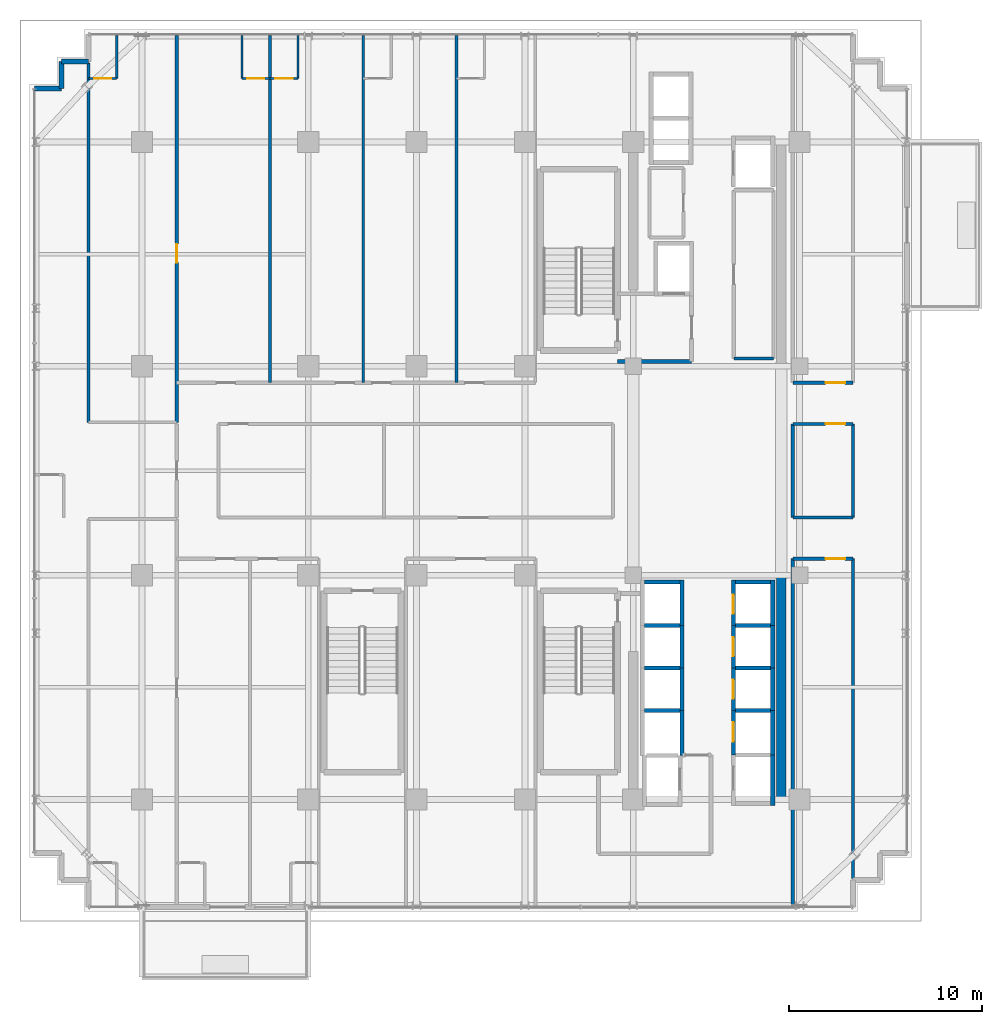
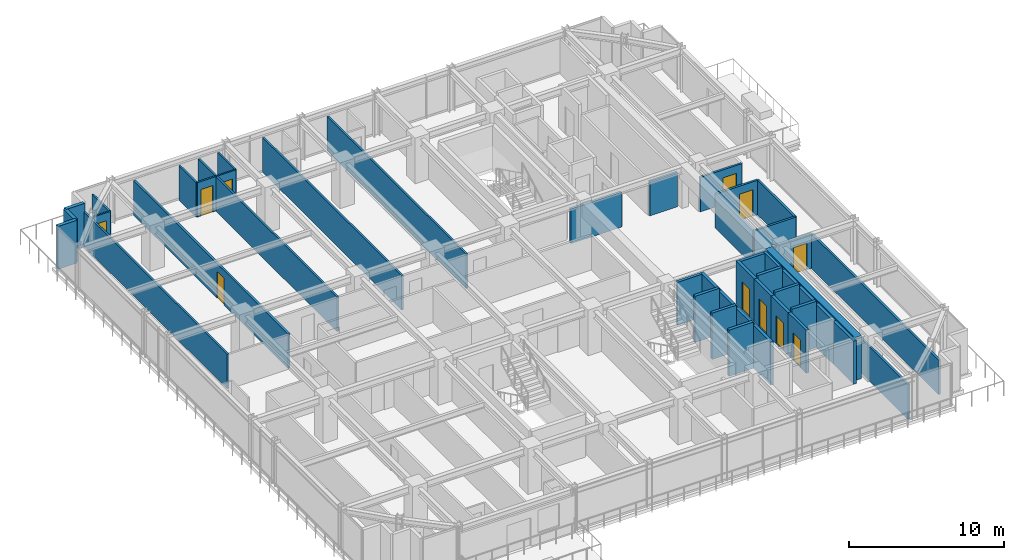
# One storey, part 27 of 33: 46 walls, 11 doors, 11 openings.
"""IFC4 building model written with IfcOpenShell, lengths in metres."""

from ifc_helpers import new_model, si_unit, direction, frame, frame_2d, origin, place, context, subcontext, project, spatial, rectangle, extrude, source, transform, mapped, material, layer, layer_set, type_object, element, fill, save


model = new_model("IFC4")

# Units and contexts
model_context = context("Model", 3, precision=1e-05, world=origin(), true_north=direction((0.0, 1.0)))
body_context = subcontext(model_context, "Body", "Model", "MODEL_VIEW")
ifc_project = project(units=[si_unit("LENGTHUNIT", "METRE"), si_unit("AREAUNIT", "SQUARE_METRE"), si_unit("VOLUMEUNIT", "CUBIC_METRE"), si_unit("PLANEANGLEUNIT", "RADIAN"), si_unit("MASSUNIT", "GRAM", prefix="KILO")], contexts=[model_context])

# Site, building, storey
site_placement = place(None, origin())
site = spatial("IfcSite", under=ifc_project, at=site_placement, CompositionType="ELEMENT")
building_placement = place(site_placement, origin())
building = spatial("IfcBuilding", under=site, at=building_placement, Name="Nahalor Promenade Grand Hotel", CompositionType="ELEMENT")
storey_placement = place(building_placement, frame((0.0, 0.0, 149.0)))
storey = spatial("IfcBuildingStorey", under=building, at=storey_placement, Name="L37", CompositionType="ELEMENT", Elevation=149.0)

# Walls
ifc_material_1 = material(Name="Concrete B-60 (C50/60)", Category="concrete")
ifc_layer_1 = layer(ifc_material_1, 0.5)
ifc_layer_set_1 = layer_set([ifc_layer_1], Name="Concrete B-60 (C50/60)")
wall_type_1 = type_object("IfcWallType", Name="Wall-CoreShear-500", PredefinedType="SHEAR", material=ifc_layer_set_1)
shared_shape_1 = source(origin(), body_context, "Body", "SweptSolid", [
    extrude(rectangle(XDim=11.60009765625, YDim=0.5, at=frame_2d((5.800048828125, 0.0))), origin(), (0.0, 0.0, 1.0), 3.389892578125),
])
wall_1_placement = place(storey_placement, frame((16.050048828125, -17.0, 0.0), z_axis=(0.0, 0.0, 1.0), x_axis=(0.0, 1.0, 0.0)))
element("IfcWall", 1, at=wall_1_placement, inside=storey, type_object=wall_type_1, Name="CWALL-L37-SE", PredefinedType="SHEAR", context=body_context, shape_type="MappedRepresentation", body=[
    mapped(shared_shape_1, transform((0.0, 0.0, 0.0), scale=1.0)),
])
ifc_material_2 = material(Name="Concrete B-50 (C40/50)", Category="concrete")
ifc_layer_2 = layer(ifc_material_2, 0.219970703125)
ifc_layer_set_2 = layer_set([ifc_layer_2], Name="Concrete B-50 (C40/50)")
wall_type_2 = type_object("IfcWallType", Name="Wall-LiftShaft-220", PredefinedType="SHEAR", material=ifc_layer_set_2)
shared_shape_2 = source(origin(), body_context, "Body", "SweptSolid", [
    extrude(rectangle(XDim=1.820068359375, YDim=0.219970703125, at=frame_2d((0.91015625, 0.0))), origin(), (0.0, 0.0, 1.0), 3.64990234375),
])
for number, where, z_axis, x_axis, name in (
    (2, (13.68994140625, -8.0, 0.0), (0.0, 0.0, 1.0), (1.0, 0.0, 0.0), "L37 Lift PL6 Hoistway Wall N"),
    (3, (13.68994140625, -10.199951171875, 0.0), (0.0, 0.0, 1.0), (1.0, 0.0, 0.0), "L37 Lift PL7 Hoistway Wall N"),
    (4, (13.68994140625, -12.39990234375, 0.0), (0.0, 0.0, 1.0), (1.0, 0.0, 0.0), "L37 Lift PL8 Hoistway Wall N"),
    (5, (8.989990234375, -8.0, 0.0), (0.0, 0.0, 1.0), (1.0, 0.0, 0.0), "L37 Lift PL10 Hoistway Wall N"),
    (6, (8.989990234375, -10.199951171875, 0.0), (0.0, 0.0, 1.0), (1.0, 0.0, 0.0), "L37 Lift PL11 Hoistway Wall N"),
    (7, (8.989990234375, -12.39990234375, 0.0), (0.0, 0.0, 1.0), (1.0, 0.0, 0.0), "L37 Lift PL12 Hoistway Wall N"),
):
    element("IfcWall", number, at=place(storey_placement, frame(where, z_axis=z_axis, x_axis=x_axis)), inside=storey, type_object=wall_type_2, Name=name, PredefinedType="SHEAR", context=body_context, shape_type="MappedRepresentation", body=[
        mapped(shared_shape_2, transform((0.0, 0.0, 0.0), scale=1.0)),
    ])

# Wall, opening, door
shared_shape_3 = source(origin(), body_context, "Body", "SweptSolid", [
    extrude(rectangle(XDim=2.360107421875, YDim=0.219970703125, at=frame_2d((1.18017578125, 0.0))), origin(), (0.0, 0.0, 1.0), 3.389892578125),
])
wall_2_placement = place(storey_placement, frame((13.580078125, -8.0, 0.0), z_axis=(0.0, 0.0, 1.0), x_axis=(0.0, 1.0, 0.0)))
wall_2 = element("IfcWall", 8, at=wall_2_placement, inside=storey, type_object=wall_type_2, Name="L37 Lift PL5 Hoistway Wall W", PredefinedType="SHEAR", context=body_context, shape_type="MappedRepresentation", body=[
    mapped(shared_shape_3, transform((0.0, 0.0, 0.0), scale=1.0)),
])
opening_1_placement = place(wall_2_placement, frame((0.60009765625, 0.0, 0.0)))
opening_1 = element("IfcOpeningElement", 9, at=opening_1_placement, cuts=wall_2, Name="Opening LD-01", PredefinedType="OPENING", context=body_context, shape_type="SweptSolid", body=[
    extrude(rectangle(XDim=1.0, YDim=2.199951171875, at=frame_2d((0.5, 1.10009765625))), frame((0.0, 0.119873046875, 0.0), z_axis=(0.0, -1.0, 0.0), x_axis=(1.0, 0.0, 0.0)), (0.0, 0.0, 1.0), 0.239990234375),
])
ifc_material_3 = material(Name="Steel S355JR", Category="steel")
door_type_1 = type_object("IfcDoorType", Name="Door-LiftLanding-1000", OperationType="DOUBLE_DOOR_SLIDING", PredefinedType="DOOR", material=ifc_material_3)
shared_shape_4 = source(origin(), body_context, "Body", "SweptSolid", [
    extrude(rectangle(XDim=1.0, YDim=2.199951171875, at=frame_2d((0.5, 1.10009765625))), frame((0.0, 0.02490234375, 0.0), z_axis=(0.0, -1.0, 0.0), x_axis=(1.0, 0.0, 0.0)), (0.0, 0.0, 1.0), 0.050048828125),
])
door_1_placement = place(opening_1_placement, origin())
door_1 = element("IfcDoor", 10, at=door_1_placement, inside=storey, type_object=door_type_1, Name="DR-LIFT-PL5-L37", OperationType="DOUBLE_DOOR_SLIDING", OverallHeight=2.199951171875, OverallWidth=1.0, PredefinedType="DOOR", context=body_context, shape_type="MappedRepresentation", body=[
    mapped(shared_shape_4, transform((0.0, 0.0, 0.0), scale=1.0)),
])
fill(opening_1, door_1)

# Walls
for number, where, z_axis, x_axis, name in (
    (11, (15.6201171875, -8.0, 0.0), (0.0, 0.0, 1.0), (0.0, 1.0, 0.0), "L37 Lift PL5 Hoistway Wall E"),
    (12, (10.919921875, -8.0, 0.0), (0.0, 0.0, 1.0), (0.0, 1.0, 0.0), "L37 Lift PL9 Hoistway Wall E"),
):
    element("IfcWall", number, at=place(storey_placement, frame(where, z_axis=z_axis, x_axis=x_axis)), inside=storey, type_object=wall_type_2, Name=name, PredefinedType="SHEAR", context=body_context, shape_type="MappedRepresentation", body=[
        mapped(shared_shape_3, transform((0.0, 0.0, 0.0), scale=1.0)),
    ])
shared_shape_5 = source(origin(), body_context, "Body", "SweptSolid", [
    extrude(rectangle(XDim=1.820068359375, YDim=0.219970703125, at=frame_2d((0.91015625, 0.0))), origin(), (0.0, 0.0, 1.0), 3.389892578125),
])
for number, where, z_axis, x_axis, name in (
    (13, (13.68994140625, -5.75, 0.0), (0.0, 0.0, 1.0), (1.0, 0.0, 0.0), "L37 Lift PL5 Hoistway Wall N"),
    (14, (8.989990234375, -5.75, 0.0), (0.0, 0.0, 1.0), (1.0, 0.0, 0.0), "L37 Lift PL9 Hoistway Wall N"),
):
    element("IfcWall", number, at=place(storey_placement, frame(where, z_axis=z_axis, x_axis=x_axis)), inside=storey, type_object=wall_type_2, Name=name, PredefinedType="SHEAR", context=body_context, shape_type="MappedRepresentation", body=[
        mapped(shared_shape_5, transform((0.0, 0.0, 0.0), scale=1.0)),
    ])

# Wall, opening, door
shared_shape_6 = source(origin(), body_context, "Body", "SweptSolid", [
    extrude(rectangle(XDim=2.199951171875, YDim=0.219970703125, at=frame_2d((1.10009765625, 0.0))), origin(), (0.0, 0.0, 1.0), 3.389892578125),
])
wall_3_placement = place(storey_placement, frame((13.580078125, -10.199951171875, 0.0), z_axis=(0.0, 0.0, 1.0), x_axis=(0.0, 1.0, 0.0)))
wall_3 = element("IfcWall", 15, at=wall_3_placement, inside=storey, type_object=wall_type_2, Name="L37 Lift PL6 Hoistway Wall W", PredefinedType="SHEAR", context=body_context, shape_type="MappedRepresentation", body=[
    mapped(shared_shape_6, transform((0.0, 0.0, 0.0), scale=1.0)),
])
opening_2_placement = place(wall_3_placement, frame((0.60009765625, 0.0, 0.0)))
opening_2 = element("IfcOpeningElement", 16, at=opening_2_placement, cuts=wall_3, Name="Opening LD-01", PredefinedType="OPENING", context=body_context, shape_type="SweptSolid", body=[
    extrude(rectangle(XDim=1.0, YDim=2.199951171875, at=frame_2d((0.5, 1.10009765625))), frame((0.0, 0.119873046875, 0.0), z_axis=(0.0, -1.0, 0.0), x_axis=(1.0, 0.0, 0.0)), (0.0, 0.0, 1.0), 0.239990234375),
])
door_2_placement = place(opening_2_placement, origin())
door_2 = element("IfcDoor", 17, at=door_2_placement, inside=storey, type_object=door_type_1, Name="DR-LIFT-PL6-L37", OperationType="DOUBLE_DOOR_SLIDING", OverallHeight=2.199951171875, OverallWidth=1.0, PredefinedType="DOOR", context=body_context, shape_type="MappedRepresentation", body=[
    mapped(shared_shape_4, transform((0.0, 0.0, 0.0), scale=1.0)),
])
fill(opening_2, door_2)

# Wall
wall_4_placement = place(storey_placement, frame((15.6201171875, -10.199951171875, 0.0), z_axis=(0.0, 0.0, 1.0), x_axis=(0.0, 1.0, 0.0)))
element("IfcWall", 18, at=wall_4_placement, inside=storey, type_object=wall_type_2, Name="L37 Lift PL6 Hoistway Wall E", PredefinedType="SHEAR", context=body_context, shape_type="MappedRepresentation", body=[
    mapped(shared_shape_6, transform((0.0, 0.0, 0.0), scale=1.0)),
])

# Wall, opening, door
wall_5_placement = place(storey_placement, frame((13.580078125, -12.39990234375, 0.0), z_axis=(0.0, 0.0, 1.0), x_axis=(0.0, 1.0, 0.0)))
wall_5 = element("IfcWall", 19, at=wall_5_placement, inside=storey, type_object=wall_type_2, Name="L37 Lift PL7 Hoistway Wall W", PredefinedType="SHEAR", context=body_context, shape_type="MappedRepresentation", body=[
    mapped(shared_shape_6, transform((0.0, 0.0, 0.0), scale=1.0)),
])
opening_3_placement = place(wall_5_placement, frame((0.60009765625, 0.0, 0.0)))
opening_3 = element("IfcOpeningElement", 20, at=opening_3_placement, cuts=wall_5, Name="Opening LD-01", PredefinedType="OPENING", context=body_context, shape_type="SweptSolid", body=[
    extrude(rectangle(XDim=1.0, YDim=2.199951171875, at=frame_2d((0.5, 1.10009765625))), frame((0.0, 0.119873046875, 0.0), z_axis=(0.0, -1.0, 0.0), x_axis=(1.0, 0.0, 0.0)), (0.0, 0.0, 1.0), 0.239990234375),
])
door_3_placement = place(opening_3_placement, origin())
door_3 = element("IfcDoor", 21, at=door_3_placement, inside=storey, type_object=door_type_1, Name="DR-LIFT-PL7-L37", OperationType="DOUBLE_DOOR_SLIDING", OverallHeight=2.199951171875, OverallWidth=1.0, PredefinedType="DOOR", context=body_context, shape_type="MappedRepresentation", body=[
    mapped(shared_shape_4, transform((0.0, 0.0, 0.0), scale=1.0)),
])
fill(opening_3, door_3)

# Walls
for number, where, z_axis, x_axis, name in (
    (22, (15.6201171875, -12.39990234375, 0.0), (0.0, 0.0, 1.0), (0.0, 1.0, 0.0), "L37 Lift PL7 Hoistway Wall E"),
    (23, (10.919921875, -10.199951171875, 0.0), (0.0, 0.0, 1.0), (0.0, 1.0, 0.0), "L37 Lift PL10 Hoistway Wall E"),
    (24, (10.919921875, -12.39990234375, 0.0), (0.0, 0.0, 1.0), (0.0, 1.0, 0.0), "L37 Lift PL11 Hoistway Wall E"),
):
    element("IfcWall", number, at=place(storey_placement, frame(where, z_axis=z_axis, x_axis=x_axis)), inside=storey, type_object=wall_type_2, Name=name, PredefinedType="SHEAR", context=body_context, shape_type="MappedRepresentation", body=[
        mapped(shared_shape_6, transform((0.0, 0.0, 0.0), scale=1.0)),
    ])

# Wall, opening, door
shared_shape_7 = source(origin(), body_context, "Body", "SweptSolid", [
    extrude(rectangle(XDim=2.300048828125, YDim=0.219970703125, at=frame_2d((1.14990234375, 0.0))), origin(), (0.0, 0.0, 1.0), 3.389892578125),
])
wall_6_placement = place(storey_placement, frame((13.580078125, -14.699951171875, 0.0), z_axis=(0.0, 0.0, 1.0), x_axis=(0.0, 1.0, 0.0)))
wall_6 = element("IfcWall", 25, at=wall_6_placement, inside=storey, type_object=wall_type_2, Name="L37 Lift PL8 Hoistway Wall W", PredefinedType="SHEAR", context=body_context, shape_type="MappedRepresentation", body=[
    mapped(shared_shape_7, transform((0.0, 0.0, 0.0), scale=1.0)),
])
opening_4_placement = place(wall_6_placement, frame((0.699951171875, 0.0, 0.0)))
opening_4 = element("IfcOpeningElement", 26, at=opening_4_placement, cuts=wall_6, Name="Opening LD-01", PredefinedType="OPENING", context=body_context, shape_type="SweptSolid", body=[
    extrude(rectangle(XDim=1.0, YDim=2.199951171875, at=frame_2d((0.5, 1.10009765625))), frame((0.0, 0.119873046875, 0.0), z_axis=(0.0, -1.0, 0.0), x_axis=(1.0, 0.0, 0.0)), (0.0, 0.0, 1.0), 0.239990234375),
])
door_4_placement = place(opening_4_placement, origin())
door_4 = element("IfcDoor", 27, at=door_4_placement, inside=storey, type_object=door_type_1, Name="DR-LIFT-PL8-L37", OperationType="DOUBLE_DOOR_SLIDING", OverallHeight=2.199951171875, OverallWidth=1.0, PredefinedType="DOOR", context=body_context, shape_type="MappedRepresentation", body=[
    mapped(shared_shape_4, transform((0.0, 0.0, 0.0), scale=1.0)),
])
fill(opening_4, door_4)

# Walls
wall_7_placement = place(storey_placement, frame((15.6201171875, -14.699951171875, 0.0), z_axis=(0.0, 0.0, 1.0), x_axis=(0.0, 1.0, 0.0)))
element("IfcWall", 28, at=wall_7_placement, inside=storey, type_object=wall_type_2, Name="L37 Lift PL8 Hoistway Wall E", PredefinedType="SHEAR", context=body_context, shape_type="MappedRepresentation", body=[
    mapped(shared_shape_7, transform((0.0, 0.0, 0.0), scale=1.0)),
])
shared_shape_8 = source(origin(), body_context, "Body", "SweptSolid", [
    extrude(rectangle(XDim=2.3251953125, YDim=0.219970703125, at=frame_2d((1.16259765625, 0.0))), origin(), (0.0, 0.0, 1.0), 3.389892578125),
])
wall_8_placement = place(storey_placement, frame((10.919921875, -14.72509765625, 0.0), z_axis=(0.0, 0.0, 1.0), x_axis=(0.0, 1.0, 0.0)))
element("IfcWall", 29, at=wall_8_placement, inside=storey, type_object=wall_type_2, Name="L37 Lift PL12 Hoistway Wall E", PredefinedType="SHEAR", context=body_context, shape_type="MappedRepresentation", body=[
    mapped(shared_shape_8, transform((0.0, 0.0, 0.0), scale=1.0)),
])
shared_shape_9 = source(origin(), body_context, "Body", "SweptSolid", [
    extrude(rectangle(XDim=2.610107421875, YDim=0.219970703125, at=frame_2d((1.30517578125, 0.0))), origin(), (0.0, 0.0, 1.0), 3.389892578125),
])
wall_9_placement = place(storey_placement, frame((15.6201171875, -17.31005859375, 0.0), z_axis=(0.0, 0.0, 1.0), x_axis=(0.0, 1.0, 0.0)))
element("IfcWall", 30, at=wall_9_placement, inside=storey, type_object=wall_type_2, Name="L37 Lift SV2 Hoistway Wall E", PredefinedType="SHEAR", context=body_context, shape_type="MappedRepresentation", body=[
    mapped(shared_shape_9, transform((0.0, 0.0, 0.0), scale=1.0)),
])
ifc_material_4 = material(Name="Concrete B-40 (C32/40)", Category="concrete")
ifc_layer_3 = layer(ifc_material_4, 0.25)
ifc_layer_set_3 = layer_set([ifc_layer_3], Name="Concrete B-40 (C32/40)")
wall_type_3 = type_object("IfcWallType", Name="Wall-BronzePier-250", PredefinedType="STANDARD", material=ifc_layer_set_3)
shared_shape_10 = source(origin(), body_context, "Body", "SweptSolid", [
    extrude(rectangle(XDim=1.400146484375, YDim=0.25, at=frame_2d((0.7001953125, 0.0))), origin(), (0.0, 0.0, 1.0), 3.389892578125),
])
wall_10_placement = place(storey_placement, frame((-22.56005859375, 19.760009765625, 0.0), z_axis=(0.0, 0.0, 1.0), x_axis=(1.0, 0.0, 0.0)))
element("IfcWall", 31, at=wall_10_placement, inside=storey, type_object=wall_type_3, Name="W-L37-SR-12", PredefinedType="STANDARD", context=body_context, shape_type="MappedRepresentation", body=[
    mapped(shared_shape_10, transform((0.0, 0.0, 0.0), scale=1.0)),
])
shared_shape_11 = source(origin(), body_context, "Body", "SweptSolid", [
    extrude(rectangle(XDim=1.39990234375, YDim=0.25, at=frame_2d((0.699951171875, 0.0))), origin(), (0.0, 0.0, 1.0), 3.389892578125),
])
for number, where, z_axis, x_axis, name in (
    (32, (-21.159912109375, 21.159912109375, 0.0), (0.0, 0.0, 1.0), (1.0, 0.0, 0.0), "W-L37-SR-10"),
    (33, (-21.159912109375, 19.760009765625, 0.0), (0.0, 0.0, 1.0), (0.0, 1.0, 0.0), "W-L37-SR-11"),
):
    element("IfcWall", number, at=place(storey_placement, frame(where, z_axis=z_axis, x_axis=x_axis)), inside=storey, type_object=wall_type_3, Name=name, PredefinedType="STANDARD", context=body_context, shape_type="MappedRepresentation", body=[
        mapped(shared_shape_11, transform((0.0, 0.0, 0.0), scale=1.0)),
    ])
ifc_layer_4 = layer(ifc_material_4, 0.199951171875)
ifc_layer_set_4 = layer_set([ifc_layer_4], Name="Concrete B-40 (C32/40)")
wall_type_4 = type_object("IfcWallType", Name="Wall-PartFire-200", PredefinedType="PARTITIONING", material=ifc_layer_set_4)
shared_shape_12 = source(origin(), body_context, "Body", "SweptSolid", [
    extrude(rectangle(XDim=3.81982421875, YDim=0.199951171875, at=frame_2d((1.909912109375, 0.0))), origin(), (0.0, 0.0, 1.0), 2.72998046875),
])
wall_11_placement = place(storey_placement, frame((7.60009765625, 5.64990234375, 0.0), z_axis=(0.0, 0.0, 1.0), x_axis=(1.0, 0.0, 0.0)))
element("IfcWall", 34, at=wall_11_placement, inside=storey, type_object=wall_type_4, Name="W-L37-FF1-S", PredefinedType="PARTITIONING", context=body_context, shape_type="MappedRepresentation", body=[
    mapped(shared_shape_12, transform((0.0, 0.0, 0.0), scale=1.0)),
])
ifc_material_5 = material(Name="Acoustic Mineral Gypsum", Category="gypsum")
ifc_layer_5 = layer(ifc_material_5, 0.159912109375)
ifc_layer_set_5 = layer_set([ifc_layer_5], Name="Acoustic Mineral Gypsum")
wall_type_5 = type_object("IfcWallType", Name="Wall-PartCorridor-160", PredefinedType="PARTITIONING", material=ifc_layer_set_5)
shared_shape_13 = source(origin(), body_context, "Body", "SweptSolid", [
    extrude(rectangle(XDim=2.0498046875, YDim=0.159912109375, at=frame_2d((1.02490234375, 0.0))), origin(), (0.0, 0.0, 1.0), 2.72998046875),
])
wall_12_placement = place(storey_placement, frame((13.60009765625, 5.800048828125, 0.0), z_axis=(0.0, 0.0, 1.0), x_axis=(1.0, 0.0, 0.0)))
element("IfcWall", 35, at=wall_12_placement, inside=storey, type_object=wall_type_5, Name="W-L37-FRB1-S", PredefinedType="PARTITIONING", context=body_context, shape_type="MappedRepresentation", body=[
    mapped(shared_shape_13, transform((0.0, 0.0, 0.0), scale=1.0)),
])

# Wall, opening, door
shared_shape_14 = source(origin(), body_context, "Body", "SweptSolid", [
    extrude(rectangle(XDim=3.110107421875, YDim=0.159912109375, at=frame_2d((1.55517578125, 0.0))), origin(), (0.0, 0.0, 1.0), 2.72998046875),
])
wall_13_placement = place(storey_placement, frame((16.64990234375, 4.550048828125, 0.0), z_axis=(0.0, 0.0, 1.0), x_axis=(1.0, 0.0, 0.0)))
wall_13 = element("IfcWall", 36, at=wall_13_placement, inside=storey, type_object=wall_type_5, Name="W-L37-ENE-S", PredefinedType="PARTITIONING", context=body_context, shape_type="MappedRepresentation", body=[
    mapped(shared_shape_14, transform((0.0, 0.0, 0.0), scale=1.0)),
])
opening_5_placement = place(wall_13_placement, frame((1.700927734375, 0.0, 0.0)))
opening_5 = element("IfcOpeningElement", 37, at=opening_5_placement, cuts=wall_13, Name="Opening D-04", PredefinedType="OPENING", context=body_context, shape_type="SweptSolid", body=[
    extrude(rectangle(XDim=1.0, YDim=2.10009765625, at=frame_2d((0.5, 1.050048828125))), frame((0.0, 0.08984375, 0.0), z_axis=(0.0, -1.0, 0.0), x_axis=(1.0, 0.0, 0.0)), (0.0, 0.0, 1.0), 0.179931640625),
])
door_type_2 = type_object("IfcDoorType", Name="Door-ServiceFire-1000", OperationType="NOTDEFINED", PredefinedType="DOOR", material=ifc_material_3)
shared_shape_15 = source(origin(), body_context, "Body", "SweptSolid", [
    extrude(rectangle(XDim=1.0, YDim=2.10009765625, at=frame_2d((0.5, 1.050048828125))), frame((0.0, 0.02490234375, 0.0), z_axis=(0.0, -1.0, 0.0), x_axis=(1.0, 0.0, 0.0)), (0.0, 0.0, 1.0), 0.050048828125),
])
door_5_placement = place(opening_5_placement, origin())
door_5 = element("IfcDoor", 38, at=door_5_placement, inside=storey, type_object=door_type_2, Name="DR-L37-ENE", OperationType="SINGLE_SWING_LEFT", OverallHeight=2.10009765625, OverallWidth=1.0, PredefinedType="DOOR", context=body_context, shape_type="MappedRepresentation", body=[
    mapped(shared_shape_15, transform((0.0, 0.0, 0.0), scale=1.0)),
])
fill(opening_5, door_5)

wall_14_placement = place(storey_placement, frame((16.64990234375, -4.550048828125, 0.0), z_axis=(0.0, 0.0, 1.0), x_axis=(1.0, 0.0, 0.0)))
wall_14 = element("IfcWall", 39, at=wall_14_placement, inside=storey, type_object=wall_type_5, Name="W-L37-ESE-N", PredefinedType="PARTITIONING", context=body_context, shape_type="MappedRepresentation", body=[
    mapped(shared_shape_14, transform((0.0, 0.0, 0.0), scale=1.0)),
])
opening_6_placement = place(wall_14_placement, frame((1.700927734375, 0.0, 0.0)))
opening_6 = element("IfcOpeningElement", 40, at=opening_6_placement, cuts=wall_14, Name="Opening D-04", PredefinedType="OPENING", context=body_context, shape_type="SweptSolid", body=[
    extrude(rectangle(XDim=1.0, YDim=2.10009765625, at=frame_2d((0.5, 1.050048828125))), frame((0.0, 0.08984375, 0.0), z_axis=(0.0, -1.0, 0.0), x_axis=(1.0, 0.0, 0.0)), (0.0, 0.0, 1.0), 0.179931640625),
])
door_6_placement = place(opening_6_placement, frame((1.0, 0.0, 0.0), z_axis=(0.0, 0.0, 1.0), x_axis=(-1.0, 0.0, 0.0)))
door_6 = element("IfcDoor", 41, at=door_6_placement, inside=storey, type_object=door_type_2, Name="DR-L37-ESE", OperationType="SINGLE_SWING_RIGHT", OverallHeight=2.10009765625, OverallWidth=1.0, PredefinedType="DOOR", context=body_context, shape_type="MappedRepresentation", body=[
    mapped(shared_shape_15, transform((0.0, 0.0, 0.0), scale=1.0)),
])
fill(opening_6, door_6)

# Wall
wall_15_placement = place(storey_placement, frame((16.64990234375, -2.419921875, 0.0), z_axis=(0.0, 0.0, 1.0), x_axis=(1.0, 0.0, 0.0)))
element("IfcWall", 42, at=wall_15_placement, inside=storey, type_object=wall_type_5, Name="W-L37-ECW-S", PredefinedType="PARTITIONING", context=body_context, shape_type="MappedRepresentation", body=[
    mapped(shared_shape_14, transform((0.0, 0.0, 0.0), scale=1.0)),
])

# Wall, opening, door
wall_16_placement = place(storey_placement, frame((16.64990234375, 2.419921875, 0.0), z_axis=(0.0, 0.0, 1.0), x_axis=(1.0, 0.0, 0.0)))
wall_16 = element("IfcWall", 43, at=wall_16_placement, inside=storey, type_object=wall_type_5, Name="W-L37-ECW-N", PredefinedType="PARTITIONING", context=body_context, shape_type="MappedRepresentation", body=[
    mapped(shared_shape_14, transform((0.0, 0.0, 0.0), scale=1.0)),
])
opening_7_placement = place(wall_16_placement, frame((1.700927734375, 0.0, 0.0)))
opening_7 = element("IfcOpeningElement", 44, at=opening_7_placement, cuts=wall_16, Name="Opening D-04", PredefinedType="OPENING", context=body_context, shape_type="SweptSolid", body=[
    extrude(rectangle(XDim=1.0, YDim=2.10009765625, at=frame_2d((0.5, 1.050048828125))), frame((0.0, 0.08984375, 0.0), z_axis=(0.0, -1.0, 0.0), x_axis=(1.0, 0.0, 0.0)), (0.0, 0.0, 1.0), 0.179931640625),
])
door_7_placement = place(opening_7_placement, frame((1.0, 0.0, 0.0), z_axis=(0.0, 0.0, 1.0), x_axis=(-1.0, 0.0, 0.0)))
door_7 = element("IfcDoor", 45, at=door_7_placement, inside=storey, type_object=door_type_2, Name="DR-L37-ECW", OperationType="SINGLE_SWING_RIGHT", OverallHeight=2.10009765625, OverallWidth=1.0, PredefinedType="DOOR", context=body_context, shape_type="MappedRepresentation", body=[
    mapped(shared_shape_15, transform((0.0, 0.0, 0.0), scale=1.0)),
])
fill(opening_7, door_7)

# Walls
shared_shape_16 = source(origin(), body_context, "Body", "SweptSolid", [
    extrude(rectangle(XDim=17.949951171875, YDim=0.159912109375, at=frame_2d((8.97509765625, 0.0))), origin(), (0.0, 0.0, 1.0), 2.72998046875),
])
wall_17_placement = place(storey_placement, frame((16.64990234375, -22.5, 0.0), z_axis=(0.0, 0.0, 1.0), x_axis=(0.0, 1.0, 0.0)))
element("IfcWall", 46, at=wall_17_placement, inside=storey, type_object=wall_type_5, Name="W-L37-ESE-W", PredefinedType="PARTITIONING", context=body_context, shape_type="MappedRepresentation", body=[
    mapped(shared_shape_16, transform((0.0, 0.0, 0.0), scale=1.0)),
])
shared_shape_17 = source(origin(), body_context, "Body", "SweptSolid", [
    extrude(rectangle(XDim=16.530029296875, YDim=0.159912109375, at=frame_2d((8.26513671875, 0.0))), origin(), (0.0, 0.0, 1.0), 2.72998046875),
])
wall_18_placement = place(storey_placement, frame((19.760009765625, -21.080078125, 0.0), z_axis=(0.0, 0.0, 1.0), x_axis=(0.0, 1.0, 0.0)))
element("IfcWall", 47, at=wall_18_placement, inside=storey, type_object=wall_type_5, Name="W-L37-ESE-E", PredefinedType="PARTITIONING", context=body_context, shape_type="MappedRepresentation", body=[
    mapped(shared_shape_17, transform((0.0, 0.0, 0.0), scale=1.0)),
])

# Wall, opening, door
shared_shape_18 = source(origin(), body_context, "Body", "SweptSolid", [
    extrude(rectangle(XDim=20.0, YDim=0.159912109375, at=frame_2d((10.0, 0.0))), origin(), (0.0, 0.0, 1.0), 2.72998046875),
])
wall_19_placement = place(storey_placement, frame((-15.199951171875, 2.5, 0.0), z_axis=(0.0, 0.0, 1.0), x_axis=(0.0, 1.0, 0.0)))
wall_19 = element("IfcWall", 48, at=wall_19_placement, inside=storey, type_object=wall_type_5, Name="W-L37-ZNW-E", PredefinedType="PARTITIONING", context=body_context, shape_type="MappedRepresentation", body=[
    mapped(shared_shape_18, transform((0.0, 0.0, 0.0), scale=1.0)),
])
opening_8_placement = place(wall_19_placement, frame((8.264892578125, 0.0, 0.0)))
opening_8 = element("IfcOpeningElement", 49, at=opening_8_placement, cuts=wall_19, Name="Opening D-01", PredefinedType="OPENING", context=body_context, shape_type="SweptSolid", body=[
    extrude(rectangle(XDim=0.949951171875, YDim=2.10009765625, at=frame_2d((0.47509765625, 1.050048828125))), frame((0.0, 0.08984375, 0.0), z_axis=(0.0, -1.0, 0.0), x_axis=(1.0, 0.0, 0.0)), (0.0, 0.0, 1.0), 0.179931640625),
])
ifc_material_6 = material(Name="Fire-Rated Timber Composite", Category="wood")
door_type_3 = type_object("IfcDoorType", Name="Door-GuestEntry-950", OperationType="NOTDEFINED", PredefinedType="DOOR", material=ifc_material_6)
shared_shape_19 = source(origin(), body_context, "Body", "SweptSolid", [
    extrude(rectangle(XDim=0.949951171875, YDim=2.10009765625, at=frame_2d((0.47509765625, 1.050048828125))), frame((0.0, 0.02490234375, 0.0), z_axis=(0.0, -1.0, 0.0), x_axis=(1.0, 0.0, 0.0)), (0.0, 0.0, 1.0), 0.050048828125),
])
door_8_placement = place(opening_8_placement, origin())
door_8 = element("IfcDoor", 50, at=door_8_placement, inside=storey, type_object=door_type_3, Name="DR-L37-NW0-ENT", OperationType="SINGLE_SWING_RIGHT", OverallHeight=2.10009765625, OverallWidth=0.949951171875, PredefinedType="DOOR", context=body_context, shape_type="MappedRepresentation", body=[
    mapped(shared_shape_19, transform((0.0, 0.0, 0.0), scale=1.0)),
])
fill(opening_8, door_8)

# Wall
ifc_layer_6 = layer(ifc_material_5, 0.139892578125)
ifc_layer_set_6 = layer_set([ifc_layer_6], Name="Acoustic Mineral Gypsum")
wall_type_6 = type_object("IfcWallType", Name="Wall-PartSuite-140", PredefinedType="PARTITIONING", material=ifc_layer_set_6)
shared_shape_20 = source(origin(), body_context, "Body", "SweptSolid", [
    extrude(rectangle(XDim=18.580078125, YDim=0.139892578125, at=frame_2d((9.2900390625, 0.0))), origin(), (0.0, 0.0, 1.0), 2.72998046875),
])
wall_20_placement = place(storey_placement, frame((-19.760009765625, 2.5, 0.0), z_axis=(0.0, 0.0, 1.0), x_axis=(0.0, 1.0, 0.0)))
element("IfcWall", 51, at=wall_20_placement, inside=storey, type_object=wall_type_6, Name="W-L37-ZNW-W", PredefinedType="PARTITIONING", context=body_context, shape_type="MappedRepresentation", body=[
    mapped(shared_shape_20, transform((0.0, 0.0, 0.0), scale=1.0)),
])

# Wall, opening, door
ifc_layer_7 = layer(ifc_material_5, 0.1201171875)
ifc_layer_set_7 = layer_set([ifc_layer_7], Name="Acoustic Mineral Gypsum")
wall_type_7 = type_object("IfcWallType", Name="Wall-PartBath-120", PredefinedType="PARTITIONING", material=ifc_layer_set_7)
shared_shape_21 = source(origin(), body_context, "Body", "SweptSolid", [
    extrude(rectangle(XDim=1.449951171875, YDim=0.1201171875, at=frame_2d((0.72509765625, 0.0))), origin(), (0.0, 0.0, 1.0), 2.72998046875),
])
wall_21_placement = place(storey_placement, frame((-19.760009765625, 20.280029296875, 0.0), z_axis=(0.0, 0.0, 1.0), x_axis=(1.0, 0.0, 0.0)))
wall_21 = element("IfcWall", 52, at=wall_21_placement, inside=storey, type_object=wall_type_7, Name="W-L37-NW0-BH", PredefinedType="PARTITIONING", context=body_context, shape_type="MappedRepresentation", body=[
    mapped(shared_shape_21, transform((0.0, 0.0, 0.0), scale=1.0)),
])
opening_9_placement = place(wall_21_placement, frame((0.284912109375, 0.0, 0.0)))
opening_9 = element("IfcOpeningElement", 53, at=opening_9_placement, cuts=wall_21, Name="Opening D-03", PredefinedType="OPENING", context=body_context, shape_type="SweptSolid", body=[
    extrude(rectangle(XDim=0.8798828125, YDim=2.10009765625, at=frame_2d((0.43994140625, 1.050048828125))), frame((0.0, 0.070068359375, 0.0), z_axis=(0.0, -1.0, 0.0), x_axis=(1.0, 0.0, 0.0)), (0.0, 0.0, 1.0), 0.14013671875),
])
door_type_4 = type_object("IfcDoorType", Name="Door-BathSwing-880", OperationType="NOTDEFINED", PredefinedType="DOOR", material=ifc_material_6)
shared_shape_22 = source(origin(), body_context, "Body", "SweptSolid", [
    extrude(rectangle(XDim=0.8798828125, YDim=2.10009765625, at=frame_2d((0.43994140625, 1.050048828125))), frame((0.0, 0.02490234375, 0.0), z_axis=(0.0, -1.0, 0.0), x_axis=(1.0, 0.0, 0.0)), (0.0, 0.0, 1.0), 0.050048828125),
])
door_9_placement = place(opening_9_placement, origin())
door_9 = element("IfcDoor", 54, at=door_9_placement, inside=storey, type_object=door_type_4, Name="DR-L37-NW0-BATH", OperationType="SINGLE_SWING_LEFT", OverallHeight=2.10009765625, OverallWidth=0.8798828125, PredefinedType="DOOR", context=body_context, shape_type="MappedRepresentation", body=[
    mapped(shared_shape_22, transform((0.0, 0.0, 0.0), scale=1.0)),
])
fill(opening_9, door_9)

wall_22_placement = place(storey_placement, frame((-10.3798828125, 20.280029296875, 0.0), z_axis=(0.0, 0.0, 1.0), x_axis=(1.0, 0.0, 0.0)))
wall_22 = element("IfcWall", 55, at=wall_22_placement, inside=storey, type_object=wall_type_7, Name="W-L37-N2-BH", PredefinedType="PARTITIONING", context=body_context, shape_type="MappedRepresentation", body=[
    mapped(shared_shape_21, transform((0.0, 0.0, 0.0), scale=1.0)),
])
opening_10_placement = place(wall_22_placement, frame((0.284912109375, 0.0, 0.0)))
opening_10 = element("IfcOpeningElement", 56, at=opening_10_placement, cuts=wall_22, Name="Opening D-03", PredefinedType="OPENING", context=body_context, shape_type="SweptSolid", body=[
    extrude(rectangle(XDim=0.8798828125, YDim=2.10009765625, at=frame_2d((0.43994140625, 1.050048828125))), frame((0.0, 0.070068359375, 0.0), z_axis=(0.0, -1.0, 0.0), x_axis=(1.0, 0.0, 0.0)), (0.0, 0.0, 1.0), 0.14013671875),
])
door_10_placement = place(opening_10_placement, origin())
door_10 = element("IfcDoor", 57, at=door_10_placement, inside=storey, type_object=door_type_4, Name="DR-L37-N2-BATH", OperationType="SINGLE_SWING_LEFT", OverallHeight=2.10009765625, OverallWidth=0.8798828125, PredefinedType="DOOR", context=body_context, shape_type="MappedRepresentation", body=[
    mapped(shared_shape_22, transform((0.0, 0.0, 0.0), scale=1.0)),
])
fill(opening_10, door_10)

# Walls
shared_shape_23 = source(origin(), body_context, "Body", "SweptSolid", [
    extrude(rectangle(XDim=2.219970703125, YDim=0.1201171875, at=frame_2d((1.10986328125, 0.0))), origin(), (0.0, 0.0, 1.0), 2.72998046875),
])
for number, where, z_axis, x_axis, name in (
    (58, (-18.31005859375, 20.280029296875, 0.0), (0.0, 0.0, 1.0), (0.0, 1.0, 0.0), "W-L37-NW0-BV"),
    (59, (-11.830078125, 20.280029296875, 0.0), (0.0, 0.0, 1.0), (0.0, 1.0, 0.0), "W-L37-N1-BV"),
    (60, (-8.929931640625, 20.280029296875, 0.0), (0.0, 0.0, 1.0), (0.0, 1.0, 0.0), "W-L37-N2-BV"),
):
    element("IfcWall", number, at=place(storey_placement, frame(where, z_axis=z_axis, x_axis=x_axis)), inside=storey, type_object=wall_type_7, Name=name, PredefinedType="PARTITIONING", context=body_context, shape_type="MappedRepresentation", body=[
        mapped(shared_shape_23, transform((0.0, 0.0, 0.0), scale=1.0)),
    ])
shared_shape_24 = source(origin(), body_context, "Body", "SweptSolid", [
    extrude(rectangle(XDim=17.949951171875, YDim=0.139892578125, at=frame_2d((8.97509765625, 0.0))), origin(), (0.0, 0.0, 1.0), 2.72998046875),
])
for number, where, z_axis, x_axis, name in (
    (61, (-10.3798828125, 4.550048828125, 0.0), (0.0, 0.0, 1.0), (0.0, 1.0, 0.0), "W-L37-NP-1"),
    (62, (-5.55908203125, 4.550048828125, 0.0), (0.0, 0.0, 1.0), (0.0, 1.0, 0.0), "W-L37-NP-2"),
    (63, (-0.739013671875, 4.550048828125, 0.0), (0.0, 0.0, 1.0), (0.0, 1.0, 0.0), "W-L37-NP-3"),
):
    element("IfcWall", number, at=place(storey_placement, frame(where, z_axis=z_axis, x_axis=x_axis)), inside=storey, type_object=wall_type_6, Name=name, PredefinedType="PARTITIONING", context=body_context, shape_type="MappedRepresentation", body=[
        mapped(shared_shape_24, transform((0.0, 0.0, 0.0), scale=1.0)),
    ])

# Wall, opening, door
shared_shape_25 = source(origin(), body_context, "Body", "SweptSolid", [
    extrude(rectangle(XDim=1.4501953125, YDim=0.1201171875, at=frame_2d((0.72509765625, 0.0))), origin(), (0.0, 0.0, 1.0), 2.72998046875),
])
wall_23_placement = place(storey_placement, frame((-11.830078125, 20.280029296875, 0.0), z_axis=(0.0, 0.0, 1.0), x_axis=(1.0, 0.0, 0.0)))
wall_23 = element("IfcWall", 64, at=wall_23_placement, inside=storey, type_object=wall_type_7, Name="W-L37-N1-BH", PredefinedType="PARTITIONING", context=body_context, shape_type="MappedRepresentation", body=[
    mapped(shared_shape_25, transform((0.0, 0.0, 0.0), scale=1.0)),
])
opening_11_placement = place(wall_23_placement, frame((0.284912109375, 0.0, 0.0)))
opening_11 = element("IfcOpeningElement", 65, at=opening_11_placement, cuts=wall_23, Name="Opening D-03", PredefinedType="OPENING", context=body_context, shape_type="SweptSolid", body=[
    extrude(rectangle(XDim=0.8798828125, YDim=2.10009765625, at=frame_2d((0.43994140625, 1.050048828125))), frame((0.0, 0.070068359375, 0.0), z_axis=(0.0, -1.0, 0.0), x_axis=(1.0, 0.0, 0.0)), (0.0, 0.0, 1.0), 0.14013671875),
])
door_11_placement = place(opening_11_placement, origin())
door_11 = element("IfcDoor", 66, at=door_11_placement, inside=storey, type_object=door_type_4, Name="DR-L37-N1-BATH", OperationType="SINGLE_SWING_LEFT", OverallHeight=2.10009765625, OverallWidth=0.8798828125, PredefinedType="DOOR", context=body_context, shape_type="MappedRepresentation", body=[
    mapped(shared_shape_22, transform((0.0, 0.0, 0.0), scale=1.0)),
])
fill(opening_11, door_11)

# Walls
shared_shape_26 = source(origin(), body_context, "Body", "SweptSolid", [
    extrude(rectangle(XDim=4.83984375, YDim=0.159912109375, at=frame_2d((2.419921875, 0.0))), origin(), (0.0, 0.0, 1.0), 2.72998046875),
])
for number, where, z_axis, x_axis, name in (
    (67, (16.64990234375, -2.419921875, 0.0), (0.0, 0.0, 1.0), (0.0, 1.0, 0.0), "W-L37-ECW-W"),
    (68, (19.760009765625, -2.419921875, 0.0), (0.0, 0.0, 1.0), (0.0, 1.0, 0.0), "W-L37-ECW-E"),
):
    element("IfcWall", number, at=place(storey_placement, frame(where, z_axis=z_axis, x_axis=x_axis)), inside=storey, type_object=wall_type_5, Name=name, PredefinedType="PARTITIONING", context=body_context, shape_type="MappedRepresentation", body=[
        mapped(shared_shape_26, transform((0.0, 0.0, 0.0), scale=1.0)),
    ])

save(model, "model.ifc")
